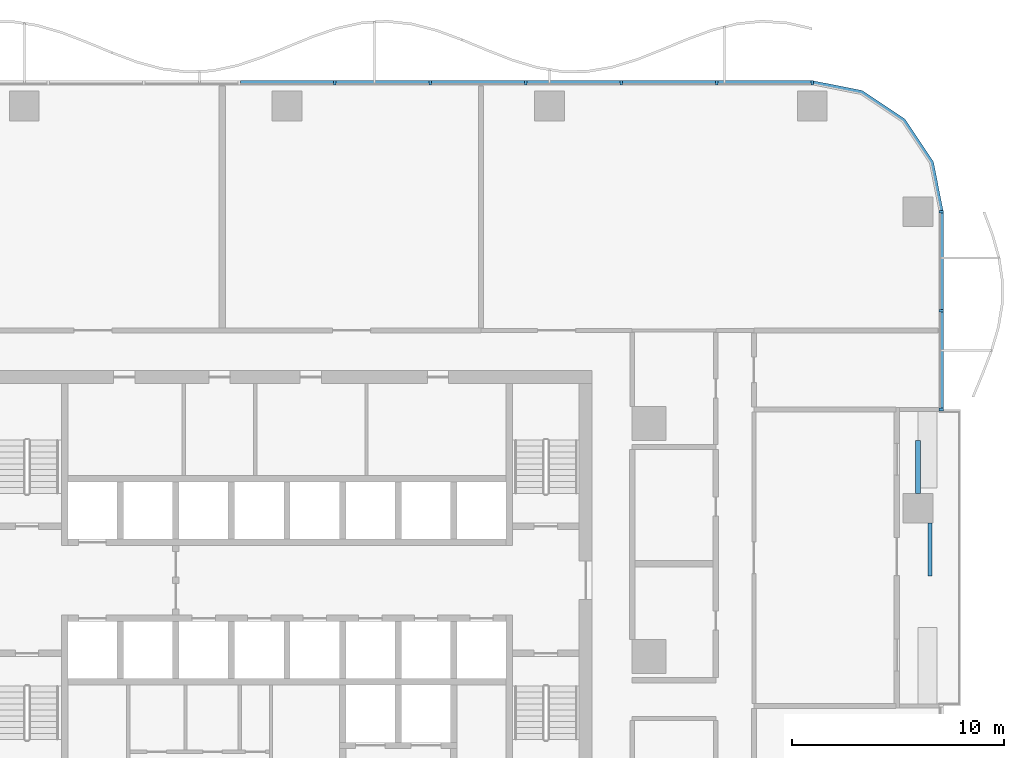
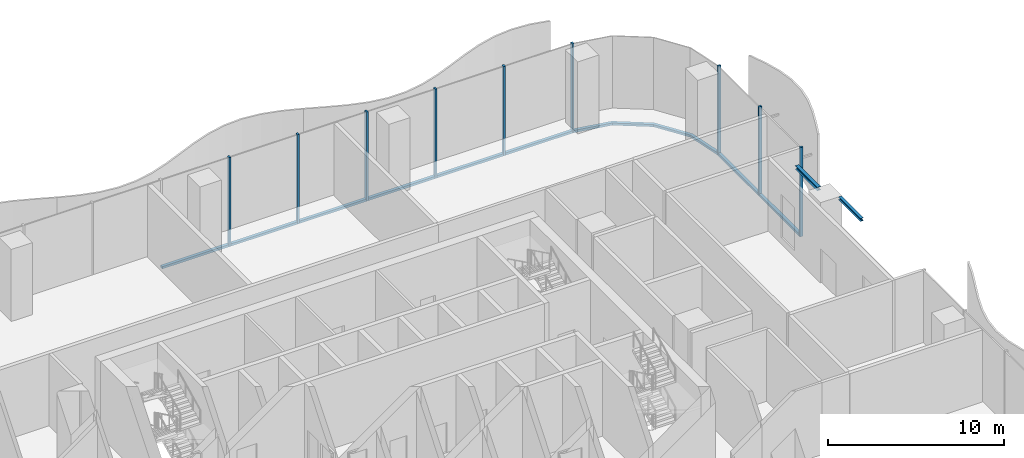
# One storey, part 5 of 21: 18 members, 2 beams, 3 elements without a shape of their own.
"""IFC4 building model written with IfcOpenShell, lengths in metres."""

from ifc_helpers import new_model, si_unit, direction, frame, origin, origin_2d, place, context, subcontext, project, spatial, polyline, rectangle, i_section, outline, extrude, material, material_profile, profile_set, type_object, element, aggregate, save


model = new_model("IFC4")

# Units and contexts
model_context = context("Model", 3, precision=1e-05, world=origin(), true_north=direction((0.0, 1.0)))
body_context = subcontext(model_context, "Body", "Model", "MODEL_VIEW")
ifc_project = project(units=[si_unit("LENGTHUNIT", "METRE"), si_unit("AREAUNIT", "SQUARE_METRE"), si_unit("VOLUMEUNIT", "CUBIC_METRE"), si_unit("PLANEANGLEUNIT", "RADIAN"), si_unit("MASSUNIT", "GRAM", prefix="KILO")], contexts=[model_context])

# Site, building, storey
site_placement = place(None, origin())
site = spatial("IfcSite", under=ifc_project, at=site_placement, CompositionType="ELEMENT")
building_placement = place(site_placement, origin())
building = spatial("IfcBuilding", under=site, at=building_placement, Name="Mopane Tessera Tower", CompositionType="ELEMENT")
storey_placement = place(building_placement, frame((0.0, 0.0, 9.0)))
storey = spatial("IfcBuildingStorey", under=building, at=storey_placement, Name="L01", CompositionType="ELEMENT", Elevation=9.0)

# Curtain wall, members
ifc_material_1 = material(Name="Aluminium frame", Category="aluminium")
curtain_wall_type = type_object("IfcCurtainWallType", Name="Podium unitised wall", PredefinedType="NOTDEFINED", material=ifc_material_1)
curtain_wall_1_placement = place(storey_placement, origin())
curtain_wall_1 = element("IfcCurtainWall", 1, at=curtain_wall_1_placement, inside=storey, type_object=curtain_wall_type, Name="e:cw:L01:E:7", PredefinedType="NOTDEFINED")
ifc_material_2 = material(Name="Aluminium frame", Category="aluminium")
ifc_material_profile_1 = material_profile(ifc_material_2, rectangle(XDim=0.125, YDim=0.199951171875, at=origin_2d()))
ifc_profile_set_1 = profile_set([ifc_material_profile_1], Name="Aluminium frame")
member_type_1 = type_object("IfcMemberType", Name="Aluminium mullion 125 x 200", PredefinedType="MULLION", material=ifc_profile_set_1)
member_1_placement = place(storey_placement, frame((30.89990234375, 11.666748046875, -1.199951171875), z_axis=(0.0, 0.0, 1.0), x_axis=(0.0, 1.0, 0.0)))
member_1 = element("IfcMember", 2, at=member_1_placement, type_object=member_type_1, Name="e:cw:L01:E:7:mu7", PredefinedType="MULLION", context=body_context, shape_type="SweptSolid", body=[
    extrude(rectangle(XDim=0.125, YDim=0.199951171875, at=origin_2d()), origin(), (0.0, 0.0, 1.0), 6.199951171875),
])
member_2_placement = place(storey_placement, frame((30.89990234375, 16.333251953125, -1.199951171875), z_axis=(0.0, 0.0, 1.0), x_axis=(0.0, 1.0, 0.0)))
member_2 = element("IfcMember", 3, at=member_2_placement, type_object=member_type_1, Name="e:cw:L01:E:7:mu8", PredefinedType="MULLION", context=body_context, shape_type="SweptSolid", body=[
    extrude(rectangle(XDim=0.125, YDim=0.199951171875, at=origin_2d()), origin(), (0.0, 0.0, 1.0), 6.199951171875),
])
member_3_placement = place(storey_placement, frame((30.89990234375, 21.0, -1.199951171875), z_axis=(0.0, 0.0, 1.0), x_axis=(0.0, 1.0, 0.0)))
member_3 = element("IfcMember", 4, at=member_3_placement, type_object=member_type_1, Name="e:cw:L01:E:7:mu9", PredefinedType="MULLION", context=body_context, shape_type="SweptSolid", body=[
    extrude(rectangle(XDim=0.125, YDim=0.199951171875, at=origin_2d()), origin(), (0.0, 0.0, 1.0), 6.199951171875),
])

curtain_wall_2_placement = place(storey_placement, origin())
curtain_wall_2 = element("IfcCurtainWall", 5, at=curtain_wall_2_placement, inside=storey, type_object=curtain_wall_type, Name="e:cw:L01:N:0", PredefinedType="NOTDEFINED")
member_4_placement = place(storey_placement, frame((24.800048828125, 27.10009765625, -1.199951171875), z_axis=(0.0, 0.0, 1.0), x_axis=(-1.0, 0.0, 0.0)))
member_4 = element("IfcMember", 6, at=member_4_placement, type_object=member_type_1, Name="e:cw:L01:N:0:mu0", PredefinedType="MULLION", context=body_context, shape_type="SweptSolid", body=[
    extrude(rectangle(XDim=0.125, YDim=0.199951171875, at=origin_2d()), origin(), (0.0, 0.0, 1.0), 6.199951171875),
])
member_5_placement = place(storey_placement, frame((20.291015625, 27.10009765625, -1.199951171875), z_axis=(0.0, 0.0, 1.0), x_axis=(-1.0, 0.0, 0.0)))
member_5 = element("IfcMember", 7, at=member_5_placement, type_object=member_type_1, Name="e:cw:L01:N:0:mu1", PredefinedType="MULLION", context=body_context, shape_type="SweptSolid", body=[
    extrude(rectangle(XDim=0.125, YDim=0.199951171875, at=origin_2d()), origin(), (0.0, 0.0, 1.0), 6.199951171875),
])
member_6_placement = place(storey_placement, frame((15.78173828125, 27.10009765625, -1.199951171875), z_axis=(0.0, 0.0, 1.0), x_axis=(-1.0, 0.0, 0.0)))
member_6 = element("IfcMember", 8, at=member_6_placement, type_object=member_type_1, Name="e:cw:L01:N:0:mu2", PredefinedType="MULLION", context=body_context, shape_type="SweptSolid", body=[
    extrude(rectangle(XDim=0.125, YDim=0.199951171875, at=origin_2d()), origin(), (0.0, 0.0, 1.0), 6.199951171875),
])
member_7_placement = place(storey_placement, frame((11.272705078125, 27.10009765625, -1.199951171875), z_axis=(0.0, 0.0, 1.0), x_axis=(-1.0, 0.0, 0.0)))
member_7 = element("IfcMember", 9, at=member_7_placement, type_object=member_type_1, Name="e:cw:L01:N:0:mu3", PredefinedType="MULLION", context=body_context, shape_type="SweptSolid", body=[
    extrude(rectangle(XDim=0.125, YDim=0.199951171875, at=origin_2d()), origin(), (0.0, 0.0, 1.0), 6.199951171875),
])
member_8_placement = place(storey_placement, frame((6.763671875, 27.10009765625, -1.199951171875), z_axis=(0.0, 0.0, 1.0), x_axis=(-1.0, 0.0, 0.0)))
member_8 = element("IfcMember", 10, at=member_8_placement, type_object=member_type_1, Name="e:cw:L01:N:0:mu4", PredefinedType="MULLION", context=body_context, shape_type="SweptSolid", body=[
    extrude(rectangle(XDim=0.125, YDim=0.199951171875, at=origin_2d()), origin(), (0.0, 0.0, 1.0), 6.199951171875),
])
member_9_placement = place(storey_placement, frame((2.254638671875, 27.10009765625, -1.199951171875), z_axis=(0.0, 0.0, 1.0), x_axis=(-1.0, 0.0, 0.0)))
member_9 = element("IfcMember", 11, at=member_9_placement, type_object=member_type_1, Name="e:cw:L01:N:0:mu5", PredefinedType="MULLION", context=body_context, shape_type="SweptSolid", body=[
    extrude(rectangle(XDim=0.125, YDim=0.199951171875, at=origin_2d()), origin(), (0.0, 0.0, 1.0), 6.199951171875),
])

# Member
ifc_material_3 = material(Name="Aluminium frame", Category="aluminium")
ifc_material_profile_2 = material_profile(ifc_material_3, rectangle(XDim=0.199951171875, YDim=0.159912109375, at=origin_2d()))
ifc_profile_set_2 = profile_set([ifc_material_profile_2], Name="Aluminium frame")
member_type_2 = type_object("IfcMemberType", Name="Aluminium transom 200 x 160", PredefinedType="USERDEFINED", material=ifc_profile_set_2)
member_10_placement = place(storey_placement, frame((30.89990234375, 11.729248046875, -1.1201171875), z_axis=(0.0, 1.0, 0.0), x_axis=(-1.0, 0.0, 0.0)))
member_10 = element("IfcMember", 12, at=member_10_placement, type_object=member_type_2, Name="e:cw:L01:E:7:tr7", ObjectType="TRANSOM", PredefinedType="USERDEFINED", context=body_context, shape_type="SweptSolid", body=[
    extrude(rectangle(XDim=0.199951171875, YDim=0.159912109375, at=origin_2d()), origin(), (0.0, 0.0, 1.0), 4.54150390625),
])

member_11_placement = place(storey_placement, frame((30.89990234375, 16.395751953125, -1.1201171875), z_axis=(0.0, 1.0, 0.0), x_axis=(-1.0, 0.0, 0.0)))
member_11 = element("IfcMember", 13, at=member_11_placement, type_object=member_type_2, Name="e:cw:L01:E:7:tr8", ObjectType="TRANSOM", PredefinedType="USERDEFINED", context=body_context, shape_type="SweptSolid", body=[
    extrude(rectangle(XDim=0.199951171875, YDim=0.159912109375, at=origin_2d()), origin(), (0.0, 0.0, 1.0), 4.541748046875),
])

aggregate(curtain_wall_1, [member_1, member_2, member_3, member_10, member_11])

# Curtain wall, member
curtain_wall_3_placement = place(storey_placement, origin())
curtain_wall_3 = element("IfcCurtainWall", 14, at=curtain_wall_3_placement, inside=storey, type_object=curtain_wall_type, Name="e:cw:L01:CE", PredefinedType="NOTDEFINED")
member_12_placement = place(storey_placement, frame((0.0, 0.0, -1.199951171875)))
member_12 = element("IfcMember", 15, at=member_12_placement, type_object=member_type_2, Name="e:cw:L01:CE:tr", ObjectType="TRANSOM", PredefinedType="USERDEFINED", context=body_context, shape_type="SweptSolid", body=[
    extrude(outline(polyline([(30.800048828125, 21.0), (30.34326171875, 23.296142578125), (29.042724609375, 25.24267578125), (27.09619140625, 26.543212890625), (24.800048828125, 27.0), (24.800048828125, 27.199951171875), (27.172607421875, 26.72802734375), (29.18408203125, 25.384033203125), (30.528076171875, 23.37255859375), (31.0, 21.0), (30.800048828125, 21.0)])), origin(), (0.0, 0.0, 1.0), 0.159912109375),
])
aggregate(curtain_wall_3, [member_12])

# Member
member_13_placement = place(storey_placement, frame((24.737548828125, 27.10009765625, -1.1201171875), z_axis=(-1.0, 0.0, 0.0), x_axis=(0.0, -1.0, 0.0)))
member_13 = element("IfcMember", 16, at=member_13_placement, type_object=member_type_2, Name="e:cw:L01:N:0:tr0", ObjectType="TRANSOM", PredefinedType="USERDEFINED", context=body_context, shape_type="SweptSolid", body=[
    extrude(rectangle(XDim=0.199951171875, YDim=0.159912109375, at=origin_2d()), origin(), (0.0, 0.0, 1.0), 4.384033203125),
])

member_14_placement = place(storey_placement, frame((20.228515625, 27.10009765625, -1.1201171875), z_axis=(-1.0, 0.0, 0.0), x_axis=(0.0, -1.0, 0.0)))
member_14 = element("IfcMember", 17, at=member_14_placement, type_object=member_type_2, Name="e:cw:L01:N:0:tr1", ObjectType="TRANSOM", PredefinedType="USERDEFINED", context=body_context, shape_type="SweptSolid", body=[
    extrude(rectangle(XDim=0.199951171875, YDim=0.159912109375, at=origin_2d()), origin(), (0.0, 0.0, 1.0), 4.38427734375),
])

member_15_placement = place(storey_placement, frame((15.71923828125, 27.10009765625, -1.1201171875), z_axis=(-1.0, 0.0, 0.0), x_axis=(0.0, -1.0, 0.0)))
member_15 = element("IfcMember", 18, at=member_15_placement, type_object=member_type_2, Name="e:cw:L01:N:0:tr2", ObjectType="TRANSOM", PredefinedType="USERDEFINED", context=body_context, shape_type="SweptSolid", body=[
    extrude(rectangle(XDim=0.199951171875, YDim=0.159912109375, at=origin_2d()), origin(), (0.0, 0.0, 1.0), 4.384033203125),
])

member_16_placement = place(storey_placement, frame((11.210205078125, 27.10009765625, -1.1201171875), z_axis=(-1.0, 0.0, 0.0), x_axis=(0.0, -1.0, 0.0)))
member_16 = element("IfcMember", 19, at=member_16_placement, type_object=member_type_2, Name="e:cw:L01:N:0:tr3", ObjectType="TRANSOM", PredefinedType="USERDEFINED", context=body_context, shape_type="SweptSolid", body=[
    extrude(rectangle(XDim=0.199951171875, YDim=0.159912109375, at=origin_2d()), origin(), (0.0, 0.0, 1.0), 4.384033203125),
])

member_17_placement = place(storey_placement, frame((6.701171875, 27.10009765625, -1.1201171875), z_axis=(-1.0, 0.0, 0.0), x_axis=(0.0, -1.0, 0.0)))
member_17 = element("IfcMember", 20, at=member_17_placement, type_object=member_type_2, Name="e:cw:L01:N:0:tr4", ObjectType="TRANSOM", PredefinedType="USERDEFINED", context=body_context, shape_type="SweptSolid", body=[
    extrude(rectangle(XDim=0.199951171875, YDim=0.159912109375, at=origin_2d()), origin(), (0.0, 0.0, 1.0), 4.384033203125),
])

member_18_placement = place(storey_placement, frame((2.192138671875, 27.10009765625, -1.1201171875), z_axis=(-1.0, 0.0, 0.0), x_axis=(0.0, -1.0, 0.0)))
member_18 = element("IfcMember", 21, at=member_18_placement, type_object=member_type_2, Name="e:cw:L01:N:0:tr5", ObjectType="TRANSOM", PredefinedType="USERDEFINED", context=body_context, shape_type="SweptSolid", body=[
    extrude(rectangle(XDim=0.199951171875, YDim=0.159912109375, at=origin_2d()), origin(), (0.0, 0.0, 1.0), 4.38427734375),
])

aggregate(curtain_wall_2, [member_4, member_5, member_6, member_7, member_8, member_9, member_13, member_14, member_15, member_16, member_17, member_18])

# Beams
ifc_material_4 = material(Name="Structural steel S460", Category="steel")
ifc_material_profile_3 = material_profile(ifc_material_4, i_section(OverallWidth=0.239990234375, OverallDepth=0.239990234375, WebThickness=0.010009765625, FlangeThickness=0.01708984375, FilletRadius=0.02099609375, at=origin_2d()))
ifc_profile_set_3 = profile_set([ifc_material_profile_3], Name="Structural steel S460")
beam_type_1 = type_object("IfcBeamType", Name="Terrace spandrel beam HE 240 B", PredefinedType="SPANDREL", material=ifc_profile_set_3)
beam_1_placement = place(storey_placement, frame((29.800048828125, 7.702880859375, 4.8798828125), z_axis=(0.0, 1.0, 0.0), x_axis=(-1.0, 0.0, 0.0)))
element("IfcBeam", 22, at=beam_1_placement, inside=storey, type_object=beam_type_1, Name="Terrace spandrel beam N2 L02", PredefinedType="SPANDREL", context=body_context, shape_type="SweptSolid", body=[
    extrude(i_section(OverallWidth=0.239990234375, OverallDepth=0.239990234375, WebThickness=0.010009765625, FlangeThickness=0.01708984375, FilletRadius=0.02099609375, at=origin_2d()), origin(), (0.0, 0.0, 1.0), 2.5),
])
ifc_material_5 = material(Name="Structural steel S460", Category="steel")
ifc_material_profile_4 = material_profile(ifc_material_5, i_section(OverallWidth=0.199951171875, OverallDepth=0.199951171875, WebThickness=0.009033203125, FlangeThickness=0.014892578125, FilletRadius=0.01806640625, at=origin_2d()))
ifc_profile_set_4 = profile_set([ifc_material_profile_4], Name="Structural steel S460")
beam_type_2 = type_object("IfcBeamType", Name="Terrace trimmer beam HE 200 B", PredefinedType="BEAM", material=ifc_profile_set_4)
beam_2_placement = place(storey_placement, frame((30.360107421875, 6.297119140625, 4.89990234375), z_axis=(0.0, -1.0, 0.0), x_axis=(1.0, 0.0, 0.0)))
element("IfcBeam", 23, at=beam_2_placement, inside=storey, type_object=beam_type_2, Name="Terrace trimmer beam N2 L02", PredefinedType="BEAM", context=body_context, shape_type="SweptSolid", body=[
    extrude(i_section(OverallWidth=0.199951171875, OverallDepth=0.199951171875, WebThickness=0.009033203125, FlangeThickness=0.014892578125, FilletRadius=0.01806640625, at=origin_2d()), origin(), (0.0, 0.0, 1.0), 2.5),
])

save(model, "model.ifc")
